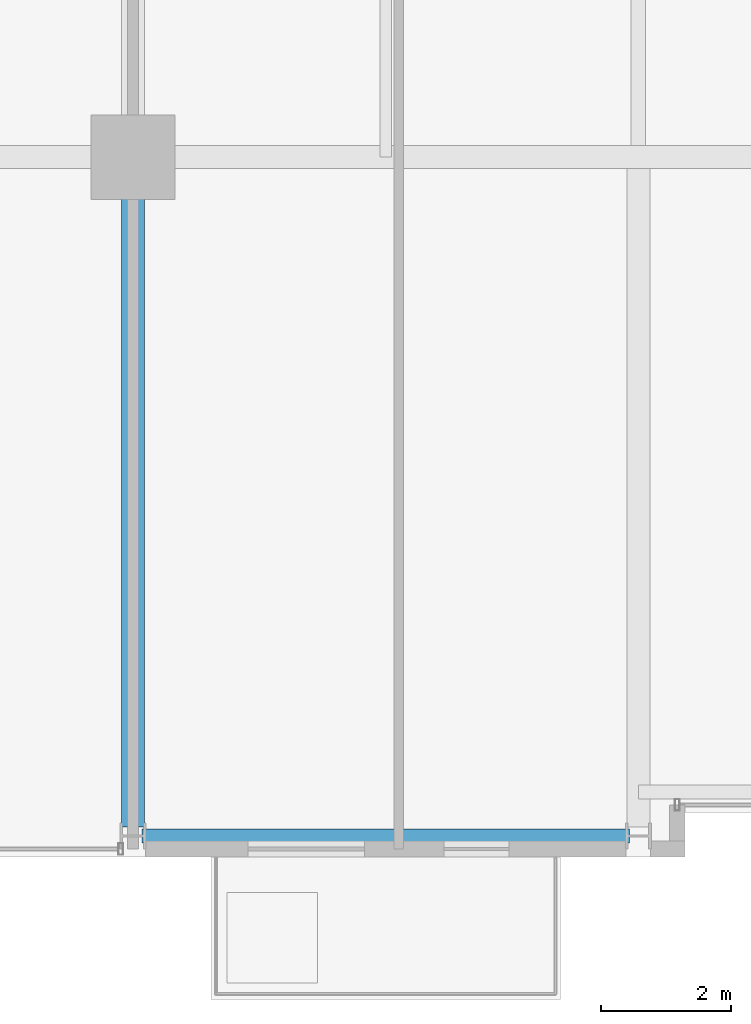
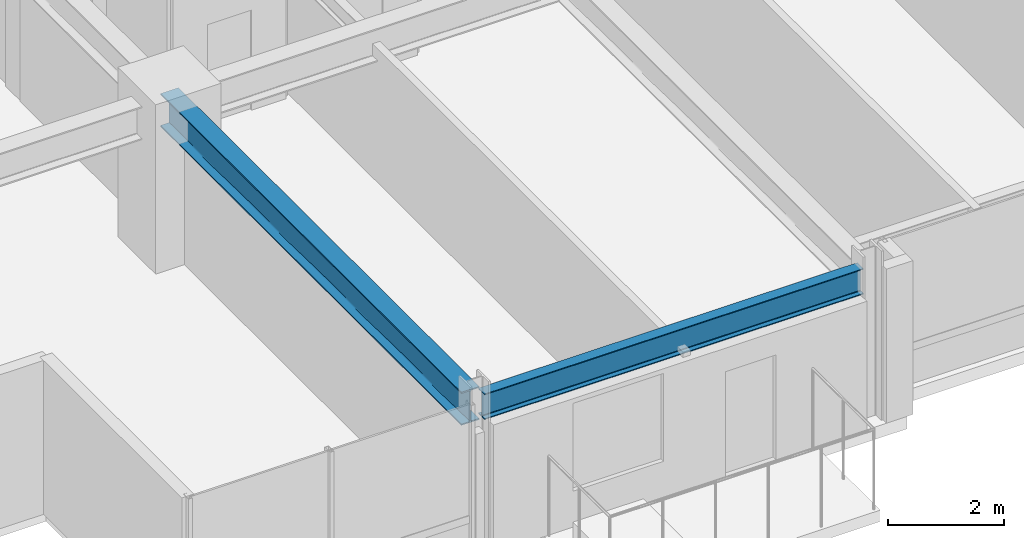
# One storey, part 3 of 33: 2 beams.
"""IFC4 building model written with IfcOpenShell, lengths in metres."""

from ifc_helpers import new_model, si_unit, direction, frame, origin, origin_2d, place, context, subcontext, project, spatial, i_section, extrude, material, material_profile, profile_set, type_object, element, save


model = new_model("IFC4")

# Units and contexts
model_context = context("Model", 3, precision=1e-05, world=origin(), true_north=direction((0.0, 1.0)))
body_context = subcontext(model_context, "Body", "Model", "MODEL_VIEW")
ifc_project = project(units=[si_unit("LENGTHUNIT", "METRE"), si_unit("AREAUNIT", "SQUARE_METRE"), si_unit("VOLUMEUNIT", "CUBIC_METRE"), si_unit("PLANEANGLEUNIT", "RADIAN"), si_unit("MASSUNIT", "GRAM", prefix="KILO")], contexts=[model_context])

# Site, building, storey
site_placement = place(None, origin())
site = spatial("IfcSite", under=ifc_project, at=site_placement, CompositionType="ELEMENT")
building_placement = place(site_placement, origin())
building = spatial("IfcBuilding", under=site, at=building_placement, Name="Drelvath Grand Hotel", CompositionType="ELEMENT")
storey_placement = place(building_placement, frame((0.0, 0.0, 196.550048828125)))
storey = spatial("IfcBuildingStorey", under=building, at=storey_placement, Name="L51", CompositionType="ELEMENT", Elevation=196.550048828125)

# Beams
ifc_material = material(Name="Steel ASTM A992 Gr 50", Category="steel")
ifc_material_profile_1 = material_profile(ifc_material, i_section(OverallWidth=0.210205078125, OverallDepth=0.53662109375, WebThickness=0.010986328125, FlangeThickness=0.017333984375, FilletRadius=0.01806640625, at=origin_2d()), Name="W21X68")
ifc_profile_set_1 = profile_set([ifc_material_profile_1], Name="Steel ASTM A992 Gr 50")
beam_type_1 = type_object("IfcBeamType", Name="Perimeter Spandrel Beam W21X68", PredefinedType="SPANDREL", material=ifc_profile_set_1)
beam_1_placement = place(storey_placement, frame((-16.06005859375, 0.320068359375, 2.961669921875), z_axis=(1.0, 0.0, 0.0), x_axis=(0.0, 1.0, 0.0)))
element("IfcBeam", 1, at=beam_1_placement, inside=storey, type_object=beam_type_1, Name="L51 Spandrel South W", PredefinedType="SPANDREL", context=body_context, shape_type="SweptSolid", body=[
    extrude(i_section(OverallWidth=0.210205078125, OverallDepth=0.53662109375, WebThickness=0.010986328125, FlangeThickness=0.017333984375, FilletRadius=0.01806640625, at=origin_2d()), origin(), (0.0, 0.0, 1.0), 7.52001953125),
])
ifc_material_profile_2 = material_profile(ifc_material, i_section(OverallWidth=0.354736328125, OverallDepth=0.695556640625, WebThickness=0.015380859375, FlangeThickness=0.025146484375, FilletRadius=0.02392578125, at=origin_2d()), Name="W27X146")
ifc_profile_set_2 = profile_set([ifc_material_profile_2], Name="Steel ASTM A992 Gr 50")
beam_type_2 = type_object("IfcBeamType", Name="Primary Floor Girder W27X146", PredefinedType="BEAM", material=ifc_profile_set_2)
beam_2_placement = place(storey_placement, frame((-16.199951171875, 0.4599609375, 2.88232421875), z_axis=(0.0, 1.0, 0.0), x_axis=(-1.0, 0.0, 0.0)))
element("IfcBeam", 2, at=beam_2_placement, inside=storey, type_object=beam_type_2, Name="L51 South Grid Girder 3", PredefinedType="BEAM", context=body_context, shape_type="SweptSolid", body=[
    extrude(i_section(OverallWidth=0.354736328125, OverallDepth=0.695556640625, WebThickness=0.015380859375, FlangeThickness=0.025146484375, FilletRadius=0.02392578125, at=origin_2d()), origin(), (0.0, 0.0, 1.0), 10.340087890625),
])

save(model, "model.ifc")
